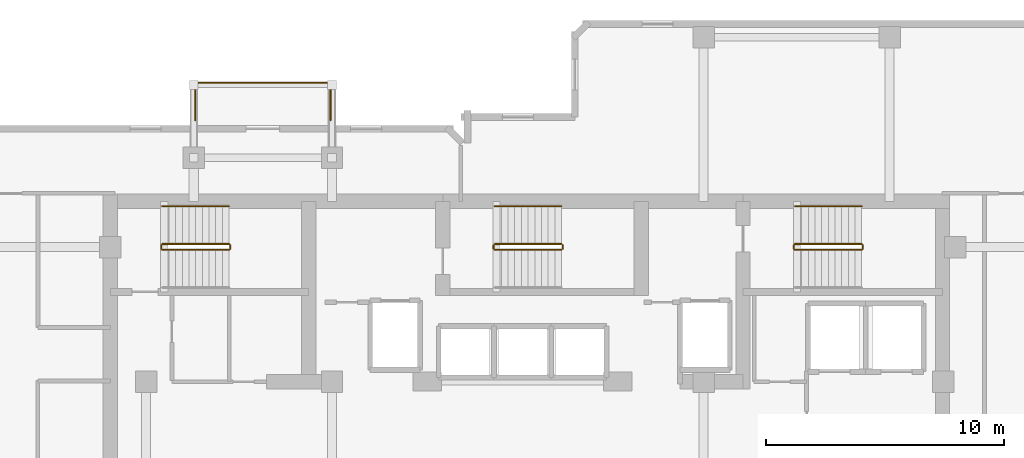
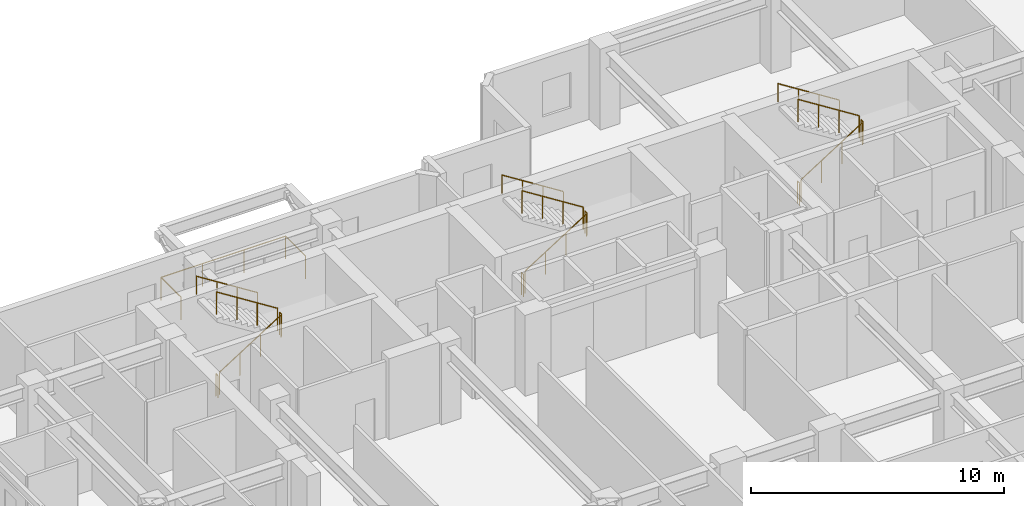
# One storey, part 10 of 10: 16 railings.
"""IFC4 building model written with IfcOpenShell, lengths in metres."""

from ifc_helpers import new_model, si_unit, direction, frame, origin, origin_2d, place, context, subcontext, project, spatial, circle, extrude, material, type_object, element, save


model = new_model("IFC4")

# Units and contexts
model_context = context("Model", 3, precision=1e-05, world=origin(), true_north=direction((0.0, 1.0)))
body_context = subcontext(model_context, "Body", "Model", "MODEL_VIEW")
ifc_project = project(units=[si_unit("LENGTHUNIT", "METRE"), si_unit("AREAUNIT", "SQUARE_METRE"), si_unit("VOLUMEUNIT", "CUBIC_METRE"), si_unit("PLANEANGLEUNIT", "RADIAN"), si_unit("MASSUNIT", "GRAM", prefix="KILO")], contexts=[model_context])

# Site, building, storey
site_placement = place(None, origin())
site = spatial("IfcSite", under=ifc_project, at=site_placement, CompositionType="ELEMENT")
building_placement = place(site_placement, origin())
building = spatial("IfcBuilding", under=site, at=building_placement, Name="Kestravale Grand Hotel", CompositionType="ELEMENT")
storey_placement = place(building_placement, frame((0.0, 0.0, 212.39990234375)))
storey = spatial("IfcBuildingStorey", under=building, at=storey_placement, Name="L53", CompositionType="ELEMENT", Elevation=212.39990234375)

# Railings
ifc_material_1 = material(Name="Champagne-bronze stainless steel and laminated glass guard", Category="steel")
railing_type_1 = type_object("IfcRailingType", Name="RL-EXT-1100", PredefinedType="GUARDRAIL", material=ifc_material_1)
railing_1_placement = place(storey_placement, frame((25.4599609375, 43.719970703125, 0.0)))
element("IfcRailing", 1, at=railing_1_placement, inside=storey, type_object=railing_type_1, Name="L53 outdoor terrace guard 1", PredefinedType="GUARDRAIL", context=body_context, shape_type="SweptSolid", body=[
    extrude(circle(Radius=0.02392578125, at=origin_2d()), frame((0.0, 0.0, 1.09619140625), z_axis=(0.0, 1.0, 0.0), x_axis=(-1.0, 0.0, 0.0)), (0.0, 0.0, 1.0), 1.570068359375),
    extrude(circle(Radius=0.02392578125, at=origin_2d()), frame((0.0, 1.570068359375, 1.09619140625), z_axis=(1.0, 0.0, 0.0), x_axis=(0.0, 1.0, 0.0)), (0.0, 0.0, 1.0), 5.679931640625),
    extrude(circle(Radius=0.02392578125, at=origin_2d()), frame((5.679931640625, 1.570068359375, 1.09619140625), z_axis=(0.0, -1.0, 0.0), x_axis=(1.0, 0.0, 0.0)), (0.0, 0.0, 1.0), 1.570068359375),
    extrude(circle(Radius=0.02099609375, at=origin_2d()), origin(), (0.0, 0.0, 1.0), 1.072021484375),
    extrude(circle(Radius=0.02099609375, at=origin_2d()), frame((0.0, 1.570068359375, 0.0)), (0.0, 0.0, 1.0), 1.072021484375),
    extrude(circle(Radius=0.02099609375, at=origin_2d()), frame((1.893310546875, 1.570068359375, 0.0)), (0.0, 0.0, 1.0), 1.072021484375),
    extrude(circle(Radius=0.02099609375, at=origin_2d()), frame((3.78662109375, 1.570068359375, 0.0)), (0.0, 0.0, 1.0), 1.072021484375),
    extrude(circle(Radius=0.02099609375, at=origin_2d()), frame((5.679931640625, 1.570068359375, 0.0)), (0.0, 0.0, 1.0), 1.072021484375),
    extrude(circle(Radius=0.02099609375, at=origin_2d()), frame((5.679931640625, 0.0, 0.0)), (0.0, 0.0, 1.0), 1.072021484375),
])
ifc_material_2 = material(Name="Painted tubular steel stair well guard", Category="steel")
railing_type_2 = type_object("IfcRailingType", Name="RL-ST-GRD1100", PredefinedType="GUARDRAIL", material=ifc_material_2)
railing_2_placement = place(storey_placement, frame((24.080078125, 38.280029296875, 0.177490234375)))
element("IfcRailing", 2, at=railing_2_placement, inside=storey, type_object=railing_type_2, Name="L53 ST-1 stair guard 1", PredefinedType="GUARDRAIL", context=body_context, shape_type="SweptSolid", body=[
    extrude(circle(Radius=0.02392578125, at=origin_2d()), frame((0.0, 0.0, 1.076171875), z_axis=(0.844887892834, 0.0, 0.53494340686), x_axis=(0.0, 1.0, 0.0)), (0.0, 0.0, 1.0), 3.313720703125),
    extrude(circle(Radius=0.02099609375, at=origin_2d()), origin(), (0.0, 0.0, 1.0), 1.052001953125),
    extrude(circle(Radius=0.02099609375, at=origin_2d()), frame((0.933349609375, 0.0, 0.5908203125)), (0.0, 0.0, 1.0), 1.052001953125),
    extrude(circle(Radius=0.02099609375, at=origin_2d()), frame((1.866455078125, 0.0, 1.181884765625)), (0.0, 0.0, 1.0), 1.052001953125),
    extrude(circle(Radius=0.02099609375, at=origin_2d()), frame((2.7998046875, 0.0, 1.772705078125)), (0.0, 0.0, 1.0), 1.052001953125),
])
railing_3_placement = place(storey_placement, frame((26.929931640625, 38.330078125, 1.9501953125)))
element("IfcRailing", 3, at=railing_3_placement, inside=storey, type_object=railing_type_2, Name="L53 ST-1 stair guard 2", PredefinedType="GUARDRAIL", context=body_context, shape_type="SweptSolid", body=[
    extrude(circle(Radius=0.02392578125, at=origin_2d()), frame((0.0, 0.0, 1.076171875), z_axis=(0.0, 1.0, 0.0), x_axis=(-1.0, 0.0, 0.0)), (0.0, 0.0, 1.0), 0.14990234375),
    extrude(circle(Radius=0.02099609375, at=origin_2d()), origin(), (0.0, 0.0, 1.0), 1.052001953125),
    extrude(circle(Radius=0.02099609375, at=origin_2d()), frame((0.0, 0.14990234375, 0.0)), (0.0, 0.0, 1.0), 1.052001953125),
])
railing_4_placement = place(storey_placement, frame((26.8798828125, 38.530029296875, 2.12744140625)))
element("IfcRailing", 4, at=railing_4_placement, inside=storey, type_object=railing_type_2, Name="L53 ST-1 stair guard 3", PredefinedType="GUARDRAIL", context=body_context, shape_type="SweptSolid", body=[
    extrude(circle(Radius=0.02392578125, at=origin_2d()), frame((0.0, 0.0, 1.076171875), z_axis=(-0.844887892834, 0.0, 0.53494340686), x_axis=(0.0, -1.0, 0.0)), (0.0, 0.0, 1.0), 3.313720703125),
    extrude(circle(Radius=0.02099609375, at=origin_2d()), origin(), (0.0, 0.0, 1.0), 1.052001953125),
    extrude(circle(Radius=0.02099609375, at=origin_2d()), frame((-0.933349609375, 0.0, 0.5908203125)), (0.0, 0.0, 1.0), 1.052001953125),
    extrude(circle(Radius=0.02099609375, at=origin_2d()), frame((-1.866455078125, 0.0, 1.181884765625)), (0.0, 0.0, 1.0), 1.052001953125),
    extrude(circle(Radius=0.02099609375, at=origin_2d()), frame((-2.7998046875, 0.0, 1.772705078125)), (0.0, 0.0, 1.0), 1.052001953125),
])
railing_5_placement = place(storey_placement, frame((24.030029296875, 38.330078125, 0.0)))
element("IfcRailing", 5, at=railing_5_placement, inside=storey, type_object=railing_type_2, Name="L53 ST-1 stair guard 4", PredefinedType="GUARDRAIL", context=body_context, shape_type="SweptSolid", body=[
    extrude(circle(Radius=0.02392578125, at=origin_2d()), frame((0.0, 0.0, 1.076171875), z_axis=(0.0, 1.0, 0.0), x_axis=(-1.0, 0.0, 0.0)), (0.0, 0.0, 1.0), 0.14990234375),
    extrude(circle(Radius=0.02099609375, at=origin_2d()), origin(), (0.0, 0.0, 1.0), 1.052001953125),
    extrude(circle(Radius=0.02099609375, at=origin_2d()), frame((0.0, 0.14990234375, 0.0)), (0.0, 0.0, 1.0), 1.052001953125),
])
railing_6_placement = place(storey_placement, frame((38.030029296875, 38.280029296875, 0.177490234375)))
element("IfcRailing", 6, at=railing_6_placement, inside=storey, type_object=railing_type_2, Name="L53 ST-2 stair guard 1", PredefinedType="GUARDRAIL", context=body_context, shape_type="SweptSolid", body=[
    extrude(circle(Radius=0.02392578125, at=origin_2d()), frame((0.0, 0.0, 1.076171875), z_axis=(0.844908973607, 0.0, 0.534910110503), x_axis=(0.0, 1.0, 0.0)), (0.0, 0.0, 1.0), 3.31396484375),
    extrude(circle(Radius=0.02099609375, at=origin_2d()), origin(), (0.0, 0.0, 1.0), 1.052001953125),
    extrude(circle(Radius=0.02099609375, at=origin_2d()), frame((0.933349609375, 0.0, 0.5908203125)), (0.0, 0.0, 1.0), 1.052001953125),
    extrude(circle(Radius=0.02099609375, at=origin_2d()), frame((1.86669921875, 0.0, 1.181884765625)), (0.0, 0.0, 1.0), 1.052001953125),
    extrude(circle(Radius=0.02099609375, at=origin_2d()), frame((2.800048828125, 0.0, 1.772705078125)), (0.0, 0.0, 1.0), 1.052001953125),
])
railing_7_placement = place(storey_placement, frame((40.8798828125, 38.330078125, 1.9501953125)))
element("IfcRailing", 7, at=railing_7_placement, inside=storey, type_object=railing_type_2, Name="L53 ST-2 stair guard 2", PredefinedType="GUARDRAIL", context=body_context, shape_type="SweptSolid", body=[
    extrude(circle(Radius=0.02392578125, at=origin_2d()), frame((0.0, 0.0, 1.076171875), z_axis=(0.0, 1.0, 0.0), x_axis=(-1.0, 0.0, 0.0)), (0.0, 0.0, 1.0), 0.14990234375),
    extrude(circle(Radius=0.02099609375, at=origin_2d()), origin(), (0.0, 0.0, 1.0), 1.052001953125),
    extrude(circle(Radius=0.02099609375, at=origin_2d()), frame((0.0, 0.14990234375, 0.0)), (0.0, 0.0, 1.0), 1.052001953125),
])
railing_8_placement = place(storey_placement, frame((40.830078125, 38.530029296875, 2.12744140625)))
element("IfcRailing", 8, at=railing_8_placement, inside=storey, type_object=railing_type_2, Name="L53 ST-2 stair guard 3", PredefinedType="GUARDRAIL", context=body_context, shape_type="SweptSolid", body=[
    extrude(circle(Radius=0.02392578125, at=origin_2d()), frame((0.0, 0.0, 1.076171875), z_axis=(-0.844908973607, 0.0, 0.534910110503), x_axis=(0.0, -1.0, 0.0)), (0.0, 0.0, 1.0), 3.31396484375),
    extrude(circle(Radius=0.02099609375, at=origin_2d()), origin(), (0.0, 0.0, 1.0), 1.052001953125),
    extrude(circle(Radius=0.02099609375, at=origin_2d()), frame((-0.933349609375, 0.0, 0.5908203125)), (0.0, 0.0, 1.0), 1.052001953125),
    extrude(circle(Radius=0.02099609375, at=origin_2d()), frame((-1.86669921875, 0.0, 1.181884765625)), (0.0, 0.0, 1.0), 1.052001953125),
    extrude(circle(Radius=0.02099609375, at=origin_2d()), frame((-2.800048828125, 0.0, 1.772705078125)), (0.0, 0.0, 1.0), 1.052001953125),
])
railing_9_placement = place(storey_placement, frame((37.97998046875, 38.330078125, 0.0)))
element("IfcRailing", 9, at=railing_9_placement, inside=storey, type_object=railing_type_2, Name="L53 ST-2 stair guard 4", PredefinedType="GUARDRAIL", context=body_context, shape_type="SweptSolid", body=[
    extrude(circle(Radius=0.02392578125, at=origin_2d()), frame((0.0, 0.0, 1.076171875), z_axis=(0.0, 1.0, 0.0), x_axis=(-1.0, 0.0, 0.0)), (0.0, 0.0, 1.0), 0.14990234375),
    extrude(circle(Radius=0.02099609375, at=origin_2d()), origin(), (0.0, 0.0, 1.0), 1.052001953125),
    extrude(circle(Radius=0.02099609375, at=origin_2d()), frame((0.0, 0.14990234375, 0.0)), (0.0, 0.0, 1.0), 1.052001953125),
])
railing_10_placement = place(storey_placement, frame((50.6298828125, 38.280029296875, 0.177490234375)))
element("IfcRailing", 10, at=railing_10_placement, inside=storey, type_object=railing_type_2, Name="L53 ST-3 stair guard 1", PredefinedType="GUARDRAIL", context=body_context, shape_type="SweptSolid", body=[
    extrude(circle(Radius=0.02392578125, at=origin_2d()), frame((0.0, 0.0, 1.076171875), z_axis=(0.844908973607, 0.0, 0.534910110503), x_axis=(0.0, 1.0, 0.0)), (0.0, 0.0, 1.0), 3.31396484375),
    extrude(circle(Radius=0.02099609375, at=origin_2d()), origin(), (0.0, 0.0, 1.0), 1.052001953125),
    extrude(circle(Radius=0.02099609375, at=origin_2d()), frame((0.933349609375, 0.0, 0.5908203125)), (0.0, 0.0, 1.0), 1.052001953125),
    extrude(circle(Radius=0.02099609375, at=origin_2d()), frame((1.86669921875, 0.0, 1.181884765625)), (0.0, 0.0, 1.0), 1.052001953125),
    extrude(circle(Radius=0.02099609375, at=origin_2d()), frame((2.800048828125, 0.0, 1.772705078125)), (0.0, 0.0, 1.0), 1.052001953125),
])
railing_11_placement = place(storey_placement, frame((53.47998046875, 38.330078125, 1.9501953125)))
element("IfcRailing", 11, at=railing_11_placement, inside=storey, type_object=railing_type_2, Name="L53 ST-3 stair guard 2", PredefinedType="GUARDRAIL", context=body_context, shape_type="SweptSolid", body=[
    extrude(circle(Radius=0.02392578125, at=origin_2d()), frame((0.0, 0.0, 1.076171875), z_axis=(0.0, 1.0, 0.0), x_axis=(-1.0, 0.0, 0.0)), (0.0, 0.0, 1.0), 0.14990234375),
    extrude(circle(Radius=0.02099609375, at=origin_2d()), origin(), (0.0, 0.0, 1.0), 1.052001953125),
    extrude(circle(Radius=0.02099609375, at=origin_2d()), frame((0.0, 0.14990234375, 0.0)), (0.0, 0.0, 1.0), 1.052001953125),
])
railing_12_placement = place(storey_placement, frame((53.429931640625, 38.530029296875, 2.12744140625)))
element("IfcRailing", 12, at=railing_12_placement, inside=storey, type_object=railing_type_2, Name="L53 ST-3 stair guard 3", PredefinedType="GUARDRAIL", context=body_context, shape_type="SweptSolid", body=[
    extrude(circle(Radius=0.02392578125, at=origin_2d()), frame((0.0, 0.0, 1.076171875), z_axis=(-0.844908973607, 0.0, 0.534910110503), x_axis=(0.0, -1.0, 0.0)), (0.0, 0.0, 1.0), 3.31396484375),
    extrude(circle(Radius=0.02099609375, at=origin_2d()), origin(), (0.0, 0.0, 1.0), 1.052001953125),
    extrude(circle(Radius=0.02099609375, at=origin_2d()), frame((-0.933349609375, 0.0, 0.5908203125)), (0.0, 0.0, 1.0), 1.052001953125),
    extrude(circle(Radius=0.02099609375, at=origin_2d()), frame((-1.86669921875, 0.0, 1.181884765625)), (0.0, 0.0, 1.0), 1.052001953125),
    extrude(circle(Radius=0.02099609375, at=origin_2d()), frame((-2.800048828125, 0.0, 1.772705078125)), (0.0, 0.0, 1.0), 1.052001953125),
])
railing_13_placement = place(storey_placement, frame((50.580078125, 38.330078125, 0.0)))
element("IfcRailing", 13, at=railing_13_placement, inside=storey, type_object=railing_type_2, Name="L53 ST-3 stair guard 4", PredefinedType="GUARDRAIL", context=body_context, shape_type="SweptSolid", body=[
    extrude(circle(Radius=0.02392578125, at=origin_2d()), frame((0.0, 0.0, 1.076171875), z_axis=(0.0, 1.0, 0.0), x_axis=(-1.0, 0.0, 0.0)), (0.0, 0.0, 1.0), 0.14990234375),
    extrude(circle(Radius=0.02099609375, at=origin_2d()), origin(), (0.0, 0.0, 1.0), 1.052001953125),
    extrude(circle(Radius=0.02099609375, at=origin_2d()), frame((0.0, 0.14990234375, 0.0)), (0.0, 0.0, 1.0), 1.052001953125),
])
ifc_material_3 = material(Name="Brushed stainless steel wall handrail", Category="steel")
railing_type_3 = type_object("IfcRailingType", Name="RL-ST-HND900", PredefinedType="HANDRAIL", material=ifc_material_3)
railing_14_placement = place(storey_placement, frame((26.8798828125, 40.110107421875, 2.12744140625)))
element("IfcRailing", 14, at=railing_14_placement, inside=storey, type_object=railing_type_3, Name="L53 ST-1 stair handrail 2", PredefinedType="HANDRAIL", context=body_context, shape_type="SweptSolid", body=[
    extrude(circle(Radius=0.02392578125, at=origin_2d()), frame((0.0, 0.0, 0.8759765625), z_axis=(-0.844887892834, 0.0, 0.53494340686), x_axis=(0.0, -1.0, 0.0)), (0.0, 0.0, 1.0), 3.313720703125),
    extrude(circle(Radius=0.02099609375, at=origin_2d()), origin(), (0.0, 0.0, 1.0), 0.851806640625),
    extrude(circle(Radius=0.02099609375, at=origin_2d()), frame((-0.933349609375, 0.0, 0.5908203125)), (0.0, 0.0, 1.0), 0.851806640625),
    extrude(circle(Radius=0.02099609375, at=origin_2d()), frame((-1.866455078125, 0.0, 1.181884765625)), (0.0, 0.0, 1.0), 0.851806640625),
    extrude(circle(Radius=0.02099609375, at=origin_2d()), frame((-2.7998046875, 0.0, 1.772705078125)), (0.0, 0.0, 1.0), 0.851806640625),
])
for number, where, name in (
    (15, (40.830078125, 40.110107421875, 2.12744140625), "L53 ST-2 stair handrail 2"),
    (16, (53.429931640625, 40.110107421875, 2.12744140625), "L53 ST-3 stair handrail 2"),
):
    element("IfcRailing", number, at=place(storey_placement, frame(where)), inside=storey, type_object=railing_type_3, Name=name, PredefinedType="HANDRAIL", context=body_context, shape_type="SweptSolid", body=[
        extrude(circle(Radius=0.02392578125, at=origin_2d()), frame((0.0, 0.0, 0.8759765625), z_axis=(-0.844908973607, 0.0, 0.534910110503), x_axis=(0.0, -1.0, 0.0)), (0.0, 0.0, 1.0), 3.31396484375),
        extrude(circle(Radius=0.02099609375, at=origin_2d()), origin(), (0.0, 0.0, 1.0), 0.851806640625),
        extrude(circle(Radius=0.02099609375, at=origin_2d()), frame((-0.933349609375, 0.0, 0.5908203125)), (0.0, 0.0, 1.0), 0.851806640625),
        extrude(circle(Radius=0.02099609375, at=origin_2d()), frame((-1.86669921875, 0.0, 1.181884765625)), (0.0, 0.0, 1.0), 0.851806640625),
        extrude(circle(Radius=0.02099609375, at=origin_2d()), frame((-2.800048828125, 0.0, 1.772705078125)), (0.0, 0.0, 1.0), 0.851806640625),
    ])

save(model, "model.ifc")
